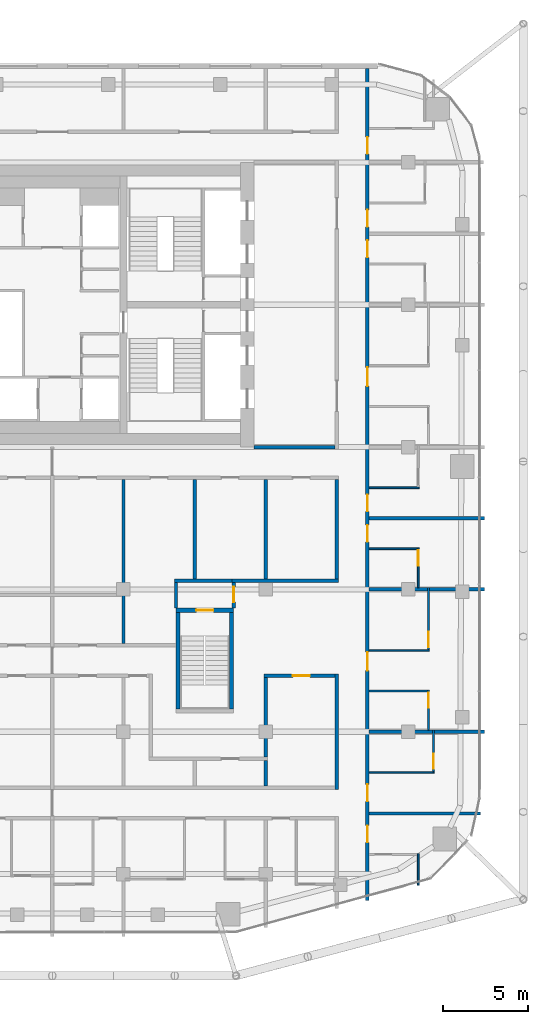
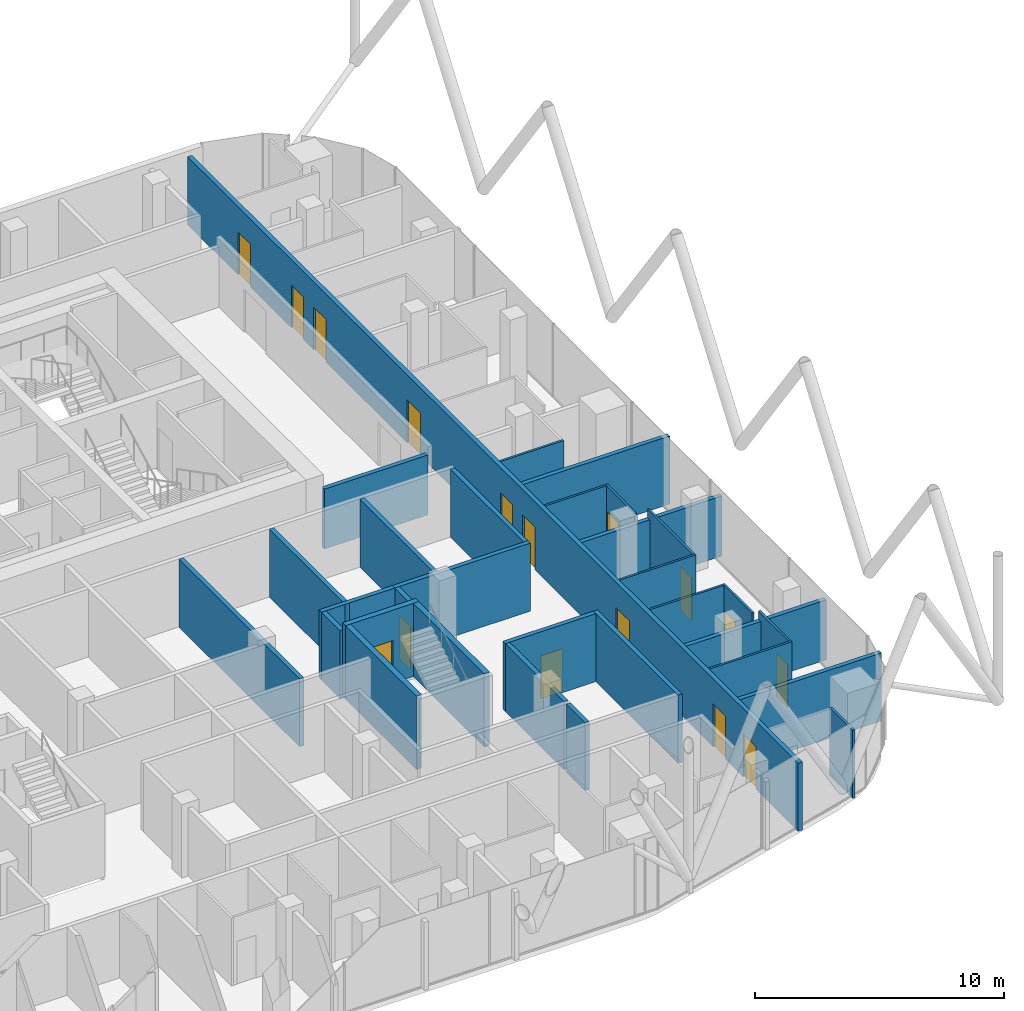
# One storey, part 23 of 28: 31 walls, 16 doors, 16 openings.
"""IFC4 building model written with IfcOpenShell, lengths in metres."""

from ifc_helpers import new_model, si_unit, direction, frame, frame_2d, origin, place, context, subcontext, project, spatial, rectangle, extrude, material, layer, layer_set, type_object, element, fill, save


model = new_model("IFC4")

# Units and contexts
model_context = context("Model", 3, precision=1e-05, world=origin(), true_north=direction((0.0, 1.0)))
body_context = subcontext(model_context, "Body", "Model", "MODEL_VIEW")
ifc_project = project(units=[si_unit("LENGTHUNIT", "METRE"), si_unit("AREAUNIT", "SQUARE_METRE"), si_unit("VOLUMEUNIT", "CUBIC_METRE"), si_unit("PLANEANGLEUNIT", "RADIAN"), si_unit("MASSUNIT", "GRAM", prefix="KILO")], contexts=[model_context])

# Site, building, storey
site_placement = place(None, origin())
site = spatial("IfcSite", under=ifc_project, at=site_placement, CompositionType="ELEMENT")
building_placement = place(site_placement, origin())
building = spatial("IfcBuilding", under=site, at=building_placement, Name="Marenta Gate Hotel Tower", CompositionType="ELEMENT")
storey_placement = place(building_placement, frame((0.0, 0.0, 212.89990234375)))
storey = spatial("IfcBuildingStorey", under=building, at=storey_placement, Name="L49", CompositionType="ELEMENT", Elevation=212.89990234375)

# Wall
ifc_material_1 = material(Name="Concrete blockwork", Category="masonry")
ifc_layer_1 = layer(ifc_material_1, 0.199951171875)
ifc_layer_set_1 = layer_set([ifc_layer_1], Name="Concrete blockwork")
wall_type_1 = type_object("IfcWallType", Name="Core boundary wall 200 REI 180", PredefinedType="PARTITIONING", material=ifc_layer_set_1)
wall_1_placement = place(storey_placement, frame((11.89990234375, 0.0, 0.0), z_axis=(0.0, 0.0, 1.0), x_axis=(1.0, 0.0, 0.0)))
element("IfcWall", 1, at=wall_1_placement, inside=storey, type_object=wall_type_1, Name="L49-CP-EW-ES", PredefinedType="PARTITIONING", context=body_context, shape_type="SweptSolid", body=[
    extrude(rectangle(XDim=4.800048828125, YDim=0.199951171875, at=frame_2d((2.39990234375, 0.0))), origin(), (0.0, 0.0, 1.0), 2.940185546875),
])

# Wall, opening, door
ifc_material_2 = material(Name="Concrete C40", Category="concrete")
ifc_layer_2 = layer(ifc_material_2, 0.25)
ifc_layer_set_2 = layer_set([ifc_layer_2], Name="Concrete C40")
wall_type_2 = type_object("IfcWallType", Name="Remote stair enclosure wall 250 REI 180", PredefinedType="SHEAR", material=ifc_layer_set_2)
wall_2_placement = place(storey_placement, frame((7.300048828125, -9.625, 0.10009765625), z_axis=(0.0, 0.0, 1.0), x_axis=(1.0, 0.0, 0.0)))
wall_2 = element("IfcWall", 2, at=wall_2_placement, inside=storey, type_object=wall_type_2, Name="L49-RS-Z3-2-W2", PredefinedType="SHEAR", context=body_context, shape_type="SweptSolid", body=[
    extrude(rectangle(XDim=3.39990234375, YDim=0.25, at=frame_2d((1.699951171875, 0.0))), origin(), (0.0, 0.0, 1.0), 3.60009765625),
])
opening_1_placement = place(wall_2_placement, frame((1.199951171875, 0.0, 0.0)))
opening_1 = element("IfcOpeningElement", 3, at=opening_1_placement, cuts=wall_2, Name="Opening VD", PredefinedType="OPENING", context=body_context, shape_type="SweptSolid", body=[
    extrude(rectangle(XDim=1.0, YDim=2.10009765625, at=frame_2d((0.5, 1.050048828125))), frame((0.0, 0.125, 0.0), z_axis=(0.0, -1.0, 0.0), x_axis=(1.0, 0.0, 0.0)), (0.0, 0.0, 1.0), 0.25),
])
ifc_material_3 = material(Name="Steel", Category="steel")
door_type_1 = type_object("IfcDoorType", Name="Stair vestibule door 1000x2100 FD60", OperationType="SINGLE_SWING_LEFT", PredefinedType="DOOR", material=ifc_material_3)
door_1_placement = place(opening_1_placement, origin())
door_1 = element("IfcDoor", 4, at=door_1_placement, inside=storey, type_object=door_type_1, Name="VD", OperationType="SINGLE_SWING_LEFT", OverallHeight=2.10009765625, OverallWidth=1.0, PredefinedType="DOOR", context=body_context, shape_type="SweptSolid", body=[
    extrude(rectangle(XDim=1.0, YDim=2.10009765625, at=frame_2d((0.5, 1.050048828125))), frame((0.0, 0.02490234375, 0.0), z_axis=(0.0, -1.0, 0.0), x_axis=(1.0, 0.0, 0.0)), (0.0, 0.0, 1.0), 0.050048828125),
])
fill(opening_1, door_1)

# Walls
for number, where, z_axis, x_axis, name in (
    (5, (7.425048828125, -15.449951171875, 0.10009765625), (0.0, 0.0, 1.0), (0.0, 1.0, 0.0), "L49-RS-Z3-2-W3"),
    (6, (10.574951171875, -15.449951171875, 0.10009765625), (0.0, 0.0, 1.0), (0.0, 1.0, 0.0), "L49-RS-Z3-2-W4"),
):
    element("IfcWall", number, at=place(storey_placement, frame(where, z_axis=z_axis, x_axis=x_axis)), inside=storey, type_object=wall_type_2, Name=name, PredefinedType="SHEAR", context=body_context, shape_type="SweptSolid", body=[
        extrude(rectangle(XDim=5.699951171875, YDim=0.25, at=frame_2d((2.85009765625, 0.0))), origin(), (0.0, 0.0, 1.0), 3.60009765625),
    ])

# Wall, openings, doors
ifc_material_4 = material(Name="Gypsum board on steel stud", Category="steel")
ifc_layer_3 = layer(ifc_material_4, 0.199951171875)
ifc_layer_set_3 = layer_set([ifc_layer_3], Name="Gypsum board on steel stud")
wall_type_3 = type_object("IfcWallType", Name="Room corridor wall 200 EI 60", PredefinedType="PARTITIONING", material=ifc_layer_set_3)
wall_3_placement = place(storey_placement, frame((18.60009765625, -26.7509765625, 0.0), z_axis=(0.0, 0.0, 1.0), x_axis=(0.0, 1.0, 0.0)))
wall_3 = element("IfcWall", 7, at=wall_3_placement, inside=storey, type_object=wall_type_3, Name="L49-PTN-W029", PredefinedType="PARTITIONING", context=body_context, shape_type="SweptSolid", body=[
    extrude(rectangle(XDim=49.091064453125, YDim=0.199951171875, at=frame_2d((24.54541015625, 0.0))), origin(), (0.0, 0.0, 1.0), 3.340087890625),
])
opening_2_placement = place(wall_3_placement, frame((3.4130859375, 0.0, 0.0)))
opening_2 = element("IfcOpeningElement", 8, at=opening_2_placement, cuts=wall_3, Name="Opening G17-16", PredefinedType="OPENING", context=body_context, shape_type="SweptSolid", body=[
    extrude(rectangle(XDim=1.0, YDim=2.10009765625, at=frame_2d((0.5, 1.050048828125))), frame((0.0, 0.10009765625, 0.0), z_axis=(0.0, -1.0, 0.0), x_axis=(1.0, 0.0, 0.0)), (0.0, 0.0, 1.0), 0.199951171875),
])
opening_3_placement = place(wall_3_placement, frame((5.837890625, 0.0, 0.0)))
opening_3 = element("IfcOpeningElement", 9, at=opening_3_placement, cuts=wall_3, Name="Opening G17-18", PredefinedType="OPENING", context=body_context, shape_type="SweptSolid", body=[
    extrude(rectangle(XDim=1.0, YDim=2.10009765625, at=frame_2d((0.5, 1.050048828125))), frame((0.0, 0.10009765625, 0.0), z_axis=(0.0, -1.0, 0.0), x_axis=(1.0, 0.0, 0.0)), (0.0, 0.0, 1.0), 0.199951171875),
])
opening_4_placement = place(wall_3_placement, frame((13.551025390625, 0.0, 0.0)))
opening_4 = element("IfcOpeningElement", 10, at=opening_4_placement, cuts=wall_3, Name="Opening G17-20", PredefinedType="OPENING", context=body_context, shape_type="SweptSolid", body=[
    extrude(rectangle(XDim=1.10009765625, YDim=2.10009765625, at=frame_2d((0.550048828125, 1.050048828125))), frame((0.0, 0.10009765625, 0.0), z_axis=(0.0, -1.0, 0.0), x_axis=(1.0, 0.0, 0.0)), (0.0, 0.0, 1.0), 0.199951171875),
])
opening_5_placement = place(wall_3_placement, frame((21.15087890625, 0.0, 0.0)))
opening_5 = element("IfcOpeningElement", 11, at=opening_5_placement, cuts=wall_3, Name="Opening G17-23", PredefinedType="OPENING", context=body_context, shape_type="SweptSolid", body=[
    extrude(rectangle(XDim=1.0, YDim=2.10009765625, at=frame_2d((0.5, 1.050048828125))), frame((0.0, 0.10009765625, 0.0), z_axis=(0.0, -1.0, 0.0), x_axis=(1.0, 0.0, 0.0)), (0.0, 0.0, 1.0), 0.199951171875),
])
opening_6_placement = place(wall_3_placement, frame((22.950927734375, 0.0, 0.0)))
opening_6 = element("IfcOpeningElement", 12, at=opening_6_placement, cuts=wall_3, Name="Opening G17-25", PredefinedType="OPENING", context=body_context, shape_type="SweptSolid", body=[
    extrude(rectangle(XDim=1.0, YDim=2.10009765625, at=frame_2d((0.5, 1.050048828125))), frame((0.0, 0.10009765625, 0.0), z_axis=(0.0, -1.0, 0.0), x_axis=(1.0, 0.0, 0.0)), (0.0, 0.0, 1.0), 0.199951171875),
])
opening_7_placement = place(wall_3_placement, frame((30.35107421875, 0.0, 0.0)))
opening_7 = element("IfcOpeningElement", 13, at=opening_7_placement, cuts=wall_3, Name="Opening G17-27", PredefinedType="OPENING", context=body_context, shape_type="SweptSolid", body=[
    extrude(rectangle(XDim=1.10009765625, YDim=2.10009765625, at=frame_2d((0.550048828125, 1.050048828125))), frame((0.0, 0.10009765625, 0.0), z_axis=(0.0, -1.0, 0.0), x_axis=(1.0, 0.0, 0.0)), (0.0, 0.0, 1.0), 0.199951171875),
])
opening_8_placement = place(wall_3_placement, frame((37.950927734375, 0.0, 0.0)))
opening_8 = element("IfcOpeningElement", 14, at=opening_8_placement, cuts=wall_3, Name="Opening G17-30", PredefinedType="OPENING", context=body_context, shape_type="SweptSolid", body=[
    extrude(rectangle(XDim=1.0, YDim=2.10009765625, at=frame_2d((0.5, 1.050048828125))), frame((0.0, 0.10009765625, 0.0), z_axis=(0.0, -1.0, 0.0), x_axis=(1.0, 0.0, 0.0)), (0.0, 0.0, 1.0), 0.199951171875),
])
opening_9_placement = place(wall_3_placement, frame((39.7509765625, 0.0, 0.0)))
opening_9 = element("IfcOpeningElement", 15, at=opening_9_placement, cuts=wall_3, Name="Opening G17-32", PredefinedType="OPENING", context=body_context, shape_type="SweptSolid", body=[
    extrude(rectangle(XDim=1.0, YDim=2.10009765625, at=frame_2d((0.5, 1.050048828125))), frame((0.0, 0.10009765625, 0.0), z_axis=(0.0, -1.0, 0.0), x_axis=(1.0, 0.0, 0.0)), (0.0, 0.0, 1.0), 0.199951171875),
])
opening_10_placement = place(wall_3_placement, frame((44.051025390625, 0.0, 0.0)))
opening_10 = element("IfcOpeningElement", 16, at=opening_10_placement, cuts=wall_3, Name="Opening G17-34", PredefinedType="OPENING", context=body_context, shape_type="SweptSolid", body=[
    extrude(rectangle(XDim=1.0, YDim=2.10009765625, at=frame_2d((0.5, 1.050048828125))), frame((0.0, 0.10009765625, 0.0), z_axis=(0.0, -1.0, 0.0), x_axis=(1.0, 0.0, 0.0)), (0.0, 0.0, 1.0), 0.199951171875),
])
ifc_material_5 = material(Name="Timber door leaf", Category="wood")
door_type_2 = type_object("IfcDoorType", Name="Guest room door 1000x2100 EI 30", OperationType="NOTDEFINED", PredefinedType="DOOR", material=ifc_material_5)
door_2_placement = place(opening_2_placement, origin())
door_2 = element("IfcDoor", 17, at=door_2_placement, inside=storey, type_object=door_type_2, Name="L49-PD-D016", OperationType="SINGLE_SWING_RIGHT", OverallHeight=2.10009765625, OverallWidth=1.0, PredefinedType="DOOR", context=body_context, shape_type="SweptSolid", body=[
    extrude(rectangle(XDim=1.0, YDim=2.10009765625, at=frame_2d((0.5, 1.050048828125))), frame((0.0, 0.02490234375, 0.0), z_axis=(0.0, -1.0, 0.0), x_axis=(1.0, 0.0, 0.0)), (0.0, 0.0, 1.0), 0.050048828125),
])
fill(opening_2, door_2)
door_3_placement = place(opening_3_placement, origin())
door_3 = element("IfcDoor", 18, at=door_3_placement, inside=storey, type_object=door_type_2, Name="L49-PD-D018", OperationType="SINGLE_SWING_RIGHT", OverallHeight=2.10009765625, OverallWidth=1.0, PredefinedType="DOOR", context=body_context, shape_type="SweptSolid", body=[
    extrude(rectangle(XDim=1.0, YDim=2.10009765625, at=frame_2d((0.5, 1.050048828125))), frame((0.0, 0.02490234375, 0.0), z_axis=(0.0, -1.0, 0.0), x_axis=(1.0, 0.0, 0.0)), (0.0, 0.0, 1.0), 0.050048828125),
])
fill(opening_3, door_3)
door_4_placement = place(opening_5_placement, origin())
door_4 = element("IfcDoor", 19, at=door_4_placement, inside=storey, type_object=door_type_2, Name="L49-PD-D023", OperationType="SINGLE_SWING_LEFT", OverallHeight=2.10009765625, OverallWidth=1.0, PredefinedType="DOOR", context=body_context, shape_type="SweptSolid", body=[
    extrude(rectangle(XDim=1.0, YDim=2.10009765625, at=frame_2d((0.5, 1.050048828125))), frame((0.0, 0.02490234375, 0.0), z_axis=(0.0, -1.0, 0.0), x_axis=(1.0, 0.0, 0.0)), (0.0, 0.0, 1.0), 0.050048828125),
])
fill(opening_5, door_4)
door_5_placement = place(opening_6_placement, origin())
door_5 = element("IfcDoor", 20, at=door_5_placement, inside=storey, type_object=door_type_2, Name="L49-PD-D025", OperationType="SINGLE_SWING_LEFT", OverallHeight=2.10009765625, OverallWidth=1.0, PredefinedType="DOOR", context=body_context, shape_type="SweptSolid", body=[
    extrude(rectangle(XDim=1.0, YDim=2.10009765625, at=frame_2d((0.5, 1.050048828125))), frame((0.0, 0.02490234375, 0.0), z_axis=(0.0, -1.0, 0.0), x_axis=(1.0, 0.0, 0.0)), (0.0, 0.0, 1.0), 0.050048828125),
])
fill(opening_6, door_5)
door_6_placement = place(opening_8_placement, origin())
door_6 = element("IfcDoor", 21, at=door_6_placement, inside=storey, type_object=door_type_2, Name="L49-PD-D030", OperationType="SINGLE_SWING_RIGHT", OverallHeight=2.10009765625, OverallWidth=1.0, PredefinedType="DOOR", context=body_context, shape_type="SweptSolid", body=[
    extrude(rectangle(XDim=1.0, YDim=2.10009765625, at=frame_2d((0.5, 1.050048828125))), frame((0.0, 0.02490234375, 0.0), z_axis=(0.0, -1.0, 0.0), x_axis=(1.0, 0.0, 0.0)), (0.0, 0.0, 1.0), 0.050048828125),
])
fill(opening_8, door_6)
door_7_placement = place(opening_9_placement, origin())
door_7 = element("IfcDoor", 22, at=door_7_placement, inside=storey, type_object=door_type_2, Name="L49-PD-D032", OperationType="SINGLE_SWING_RIGHT", OverallHeight=2.10009765625, OverallWidth=1.0, PredefinedType="DOOR", context=body_context, shape_type="SweptSolid", body=[
    extrude(rectangle(XDim=1.0, YDim=2.10009765625, at=frame_2d((0.5, 1.050048828125))), frame((0.0, 0.02490234375, 0.0), z_axis=(0.0, -1.0, 0.0), x_axis=(1.0, 0.0, 0.0)), (0.0, 0.0, 1.0), 0.050048828125),
])
fill(opening_9, door_7)
door_8_placement = place(opening_10_placement, origin())
door_8 = element("IfcDoor", 23, at=door_8_placement, inside=storey, type_object=door_type_2, Name="L49-PD-D034", OperationType="SINGLE_SWING_RIGHT", OverallHeight=2.10009765625, OverallWidth=1.0, PredefinedType="DOOR", context=body_context, shape_type="SweptSolid", body=[
    extrude(rectangle(XDim=1.0, YDim=2.10009765625, at=frame_2d((0.5, 1.050048828125))), frame((0.0, 0.02490234375, 0.0), z_axis=(0.0, -1.0, 0.0), x_axis=(1.0, 0.0, 0.0)), (0.0, 0.0, 1.0), 0.050048828125),
])
fill(opening_10, door_8)
ifc_material_6 = material(Name="Timber door leaf", Category="wood")
door_type_3 = type_object("IfcDoorType", Name="Guest room door 1100x2100 EI 30", OperationType="NOTDEFINED", PredefinedType="DOOR", material=ifc_material_6)
door_9_placement = place(opening_4_placement, origin())
door_9 = element("IfcDoor", 24, at=door_9_placement, inside=storey, type_object=door_type_3, Name="L49-PD-D020", OperationType="SINGLE_SWING_LEFT", OverallHeight=2.10009765625, OverallWidth=1.10009765625, PredefinedType="DOOR", context=body_context, shape_type="SweptSolid", body=[
    extrude(rectangle(XDim=1.10009765625, YDim=2.10009765625, at=frame_2d((0.550048828125, 1.050048828125))), frame((0.0, 0.02490234375, 0.0), z_axis=(0.0, -1.0, 0.0), x_axis=(1.0, 0.0, 0.0)), (0.0, 0.0, 1.0), 0.050048828125),
])
fill(opening_4, door_9)
door_10_placement = place(opening_7_placement, origin())
door_10 = element("IfcDoor", 25, at=door_10_placement, inside=storey, type_object=door_type_3, Name="L49-PD-D027", OperationType="SINGLE_SWING_LEFT", OverallHeight=2.10009765625, OverallWidth=1.10009765625, PredefinedType="DOOR", context=body_context, shape_type="SweptSolid", body=[
    extrude(rectangle(XDim=1.10009765625, YDim=2.10009765625, at=frame_2d((0.550048828125, 1.050048828125))), frame((0.0, 0.02490234375, 0.0), z_axis=(0.0, -1.0, 0.0), x_axis=(1.0, 0.0, 0.0)), (0.0, 0.0, 1.0), 0.050048828125),
])
fill(opening_7, door_10)

# Walls
wall_4_placement = place(storey_placement, frame((16.800048828125, -20.199951171875, 0.0), z_axis=(0.0, 0.0, 1.0), x_axis=(0.0, 1.0, 0.0)))
element("IfcWall", 26, at=wall_4_placement, inside=storey, type_object=wall_type_3, Name="L49-PTN-W032", PredefinedType="PARTITIONING", context=body_context, shape_type="SweptSolid", body=[
    extrude(rectangle(XDim=6.800048828125, YDim=0.199951171875, at=frame_2d((3.39990234375, 0.0))), origin(), (0.0, 0.0, 1.0), 3.340087890625),
])
wall_5_placement = place(storey_placement, frame((16.800048828125, -7.800048828125, 0.0), z_axis=(0.0, 0.0, 1.0), x_axis=(0.0, 1.0, 0.0)))
element("IfcWall", 27, at=wall_5_placement, inside=storey, type_object=wall_type_3, Name="L49-PTN-W033", PredefinedType="PARTITIONING", context=body_context, shape_type="SweptSolid", body=[
    extrude(rectangle(XDim=5.900146484375, YDim=0.199951171875, at=frame_2d((2.9501953125, 0.0))), origin(), (0.0, 0.0, 1.0), 3.340087890625),
])

# Wall, opening, door
wall_6_placement = place(storey_placement, frame((12.5, -13.5, 0.0), z_axis=(0.0, 0.0, 1.0), x_axis=(1.0, 0.0, 0.0)))
wall_6 = element("IfcWall", 28, at=wall_6_placement, inside=storey, type_object=wall_type_3, Name="L49-PTN-W043", PredefinedType="PARTITIONING", context=body_context, shape_type="SweptSolid", body=[
    extrude(rectangle(XDim=4.199951171875, YDim=0.199951171875, at=frame_2d((2.10009765625, 0.0))), origin(), (0.0, 0.0, 1.0), 3.340087890625),
])
opening_11_placement = place(wall_6_placement, frame((1.699951171875, 0.0, 0.0)))
opening_11 = element("IfcOpeningElement", 29, at=opening_11_placement, cuts=wall_6, Name="Opening G17-15", PredefinedType="OPENING", context=body_context, shape_type="SweptSolid", body=[
    extrude(rectangle(XDim=1.0, YDim=2.10009765625, at=frame_2d((0.5, 1.050048828125))), frame((0.0, 0.10009765625, 0.0), z_axis=(0.0, -1.0, 0.0), x_axis=(1.0, 0.0, 0.0)), (0.0, 0.0, 1.0), 0.199951171875),
])
ifc_material_7 = material(Name="Timber door leaf", Category="wood")
door_type_4 = type_object("IfcDoorType", Name="Room amenity door 1000x2100 EI 30", OperationType="NOTDEFINED", PredefinedType="DOOR", material=ifc_material_7)
door_11_placement = place(opening_11_placement, origin())
door_11 = element("IfcDoor", 30, at=door_11_placement, inside=storey, type_object=door_type_4, Name="L49-PD-D015", OperationType="SINGLE_SWING_LEFT", OverallHeight=2.10009765625, OverallWidth=1.0, PredefinedType="DOOR", context=body_context, shape_type="SweptSolid", body=[
    extrude(rectangle(XDim=1.0, YDim=2.10009765625, at=frame_2d((0.5, 1.050048828125))), frame((0.0, 0.02490234375, 0.0), z_axis=(0.0, -1.0, 0.0), x_axis=(1.0, 0.0, 0.0)), (0.0, 0.0, 1.0), 0.050048828125),
])
fill(opening_11, door_11)

# Walls
wall_7_placement = place(storey_placement, frame((12.60009765625, -18.300048828125, 0.0), z_axis=(0.0, 0.0, 1.0), x_axis=(0.0, 1.0, 0.0)))
element("IfcWall", 31, at=wall_7_placement, inside=storey, type_object=wall_type_3, Name="L49-PTN-W048", PredefinedType="PARTITIONING", context=body_context, shape_type="SweptSolid", body=[
    extrude(rectangle(XDim=4.699951171875, YDim=0.199951171875, at=frame_2d((2.35009765625, 0.0))), origin(), (0.0, 0.0, 1.0), 3.340087890625),
])
wall_8_placement = place(storey_placement, frame((10.60009765625, -7.89990234375, 0.0), z_axis=(0.0, 0.0, 1.0), x_axis=(1.0, 0.0, 0.0)))
element("IfcWall", 32, at=wall_8_placement, inside=storey, type_object=wall_type_3, Name="L49-PTN-W060", PredefinedType="PARTITIONING", context=body_context, shape_type="SweptSolid", body=[
    extrude(rectangle(XDim=6.2998046875, YDim=0.199951171875, at=frame_2d((3.14990234375, 0.0))), origin(), (0.0, 0.0, 1.0), 3.340087890625),
])

# Wall, opening, door
ifc_material_8 = material(Name="Concrete blockwork", Category="masonry")
ifc_layer_4 = layer(ifc_material_8, 0.199951171875)
ifc_layer_set_4 = layer_set([ifc_layer_4], Name="Concrete blockwork")
wall_type_4 = type_object("IfcWallType", Name="Room corridor wall 200 REI 180", PredefinedType="PARTITIONING", material=ifc_layer_set_4)
wall_9_placement = place(storey_placement, frame((10.699951171875, -9.5, 0.0), z_axis=(0.0, 0.0, 1.0), x_axis=(0.0, 1.0, 0.0)))
wall_9 = element("IfcWall", 33, at=wall_9_placement, inside=storey, type_object=wall_type_4, Name="L49-PTN-W052", PredefinedType="PARTITIONING", context=body_context, shape_type="SweptSolid", body=[
    extrude(rectangle(XDim=1.5, YDim=0.199951171875, at=frame_2d((0.75, 0.0))), origin(), (0.0, 0.0, 1.0), 3.340087890625),
])
opening_12_placement = place(wall_9_placement, frame((0.35009765625, 0.0, 0.0)))
opening_12 = element("IfcOpeningElement", 34, at=opening_12_placement, cuts=wall_9, Name="Opening G17-76", PredefinedType="OPENING", context=body_context, shape_type="SweptSolid", body=[
    extrude(rectangle(XDim=0.89990234375, YDim=2.10009765625, at=frame_2d((0.449951171875, 1.050048828125))), frame((0.0, 0.10009765625, 0.0), z_axis=(0.0, -1.0, 0.0), x_axis=(1.0, 0.0, 0.0)), (0.0, 0.0, 1.0), 0.199951171875),
])
ifc_material_9 = material(Name="Hollow steel door set", Category="steel")
door_type_5 = type_object("IfcDoorType", Name="Stair vestibule door 900x2100 EI 60", OperationType="NOTDEFINED", PredefinedType="DOOR", material=ifc_material_9)
door_12_placement = place(opening_12_placement, origin())
door_12 = element("IfcDoor", 35, at=door_12_placement, inside=storey, type_object=door_type_5, Name="L49-PD-D076", OperationType="SINGLE_SWING_RIGHT", OverallHeight=2.10009765625, OverallWidth=0.89990234375, PredefinedType="DOOR", context=body_context, shape_type="SweptSolid", body=[
    extrude(rectangle(XDim=0.89990234375, YDim=2.10009765625, at=frame_2d((0.449951171875, 1.050048828125))), frame((0.0, 0.02490234375, 0.0), z_axis=(0.0, -1.0, 0.0), x_axis=(1.0, 0.0, 0.0)), (0.0, 0.0, 1.0), 0.050048828125),
])
fill(opening_12, door_12)

ifc_material_10 = material(Name="Gypsum board on steel stud", Category="steel")
ifc_layer_5 = layer(ifc_material_10, 0.10009765625)
ifc_layer_set_5 = layer_set([ifc_layer_5], Name="Gypsum board on steel stud")
wall_type_5 = type_object("IfcWallType", Name="Room partition 100", PredefinedType="PARTITIONING", material=ifc_layer_set_5)
wall_10_placement = place(storey_placement, frame((22.5, -19.14990234375, 0.0), z_axis=(0.0, 0.0, 1.0), x_axis=(0.0, 1.0, 0.0)))
wall_10 = element("IfcWall", 36, at=wall_10_placement, inside=storey, type_object=wall_type_5, Name="L49-PTN-W011", PredefinedType="PARTITIONING", context=body_context, shape_type="SweptSolid", body=[
    extrude(rectangle(XDim=2.449951171875, YDim=0.10009765625, at=frame_2d((1.22509765625, 0.0))), origin(), (0.0, 0.0, 1.0), 3.340087890625),
])
opening_13_placement = place(wall_10_placement, frame((0.14990234375, 0.0, 0.0)))
opening_13 = element("IfcOpeningElement", 37, at=opening_13_placement, cuts=wall_10, Name="Opening G17-19", PredefinedType="OPENING", context=body_context, shape_type="SweptSolid", body=[
    extrude(rectangle(XDim=0.89990234375, YDim=2.10009765625, at=frame_2d((0.449951171875, 1.050048828125))), frame((0.0, 0.050048828125, 0.0), z_axis=(0.0, -1.0, 0.0), x_axis=(1.0, 0.0, 0.0)), (0.0, 0.0, 1.0), 0.10009765625),
])
ifc_material_11 = material(Name="Timber door leaf", Category="wood")
door_type_6 = type_object("IfcDoorType", Name="Guest bathroom door 900x2100", OperationType="NOTDEFINED", PredefinedType="DOOR", material=ifc_material_11)
door_13_placement = place(opening_13_placement, origin())
door_13 = element("IfcDoor", 38, at=door_13_placement, inside=storey, type_object=door_type_6, Name="L49-PD-D019", OperationType="SINGLE_SWING_LEFT", OverallHeight=2.10009765625, OverallWidth=0.89990234375, PredefinedType="DOOR", context=body_context, shape_type="SweptSolid", body=[
    extrude(rectangle(XDim=0.89990234375, YDim=2.10009765625, at=frame_2d((0.449951171875, 1.050048828125))), frame((0.0, 0.02490234375, 0.0), z_axis=(0.0, -1.0, 0.0), x_axis=(1.0, 0.0, 0.0)), (0.0, 0.0, 1.0), 0.050048828125),
])
fill(opening_13, door_13)

wall_11_placement = place(storey_placement, frame((22.199951171875, -16.699951171875, 0.0), z_axis=(0.0, 0.0, 1.0), x_axis=(0.0, 1.0, 0.0)))
wall_11 = element("IfcWall", 39, at=wall_11_placement, inside=storey, type_object=wall_type_5, Name="L49-PTN-W013", PredefinedType="PARTITIONING", context=body_context, shape_type="SweptSolid", body=[
    extrude(rectangle(XDim=2.349853515625, YDim=0.10009765625, at=frame_2d((1.1748046875, 0.0))), origin(), (0.0, 0.0, 1.0), 3.340087890625),
])
opening_14_placement = place(wall_11_placement, frame((1.300048828125, 0.0, 0.0)))
opening_14 = element("IfcOpeningElement", 40, at=opening_14_placement, cuts=wall_11, Name="Opening G17-22", PredefinedType="OPENING", context=body_context, shape_type="SweptSolid", body=[
    extrude(rectangle(XDim=0.89990234375, YDim=2.10009765625, at=frame_2d((0.449951171875, 1.050048828125))), frame((0.0, 0.050048828125, 0.0), z_axis=(0.0, -1.0, 0.0), x_axis=(1.0, 0.0, 0.0)), (0.0, 0.0, 1.0), 0.10009765625),
])
ifc_material_12 = material(Name="Timber door leaf", Category="wood")
door_type_7 = type_object("IfcDoorType", Name="Room inner door 900x2100", OperationType="NOTDEFINED", PredefinedType="DOOR", material=ifc_material_12)
door_14_placement = place(opening_14_placement, origin())
door_14 = element("IfcDoor", 41, at=door_14_placement, inside=storey, type_object=door_type_7, Name="L49-PD-D022", OperationType="SINGLE_SWING_RIGHT", OverallHeight=2.10009765625, OverallWidth=0.89990234375, PredefinedType="DOOR", context=body_context, shape_type="SweptSolid", body=[
    extrude(rectangle(XDim=0.89990234375, YDim=2.10009765625, at=frame_2d((0.449951171875, 1.050048828125))), frame((0.0, 0.02490234375, 0.0), z_axis=(0.0, -1.0, 0.0), x_axis=(1.0, 0.0, 0.0)), (0.0, 0.0, 1.0), 0.050048828125),
])
fill(opening_14, door_14)

wall_12_placement = place(storey_placement, frame((22.199951171875, -11.949951171875, 0.0), z_axis=(0.0, 0.0, 1.0), x_axis=(0.0, 1.0, 0.0)))
wall_12 = element("IfcWall", 42, at=wall_12_placement, inside=storey, type_object=wall_type_5, Name="L49-PTN-W014", PredefinedType="PARTITIONING", context=body_context, shape_type="SweptSolid", body=[
    extrude(rectangle(XDim=3.64990234375, YDim=0.10009765625, at=frame_2d((1.824951171875, 0.0))), origin(), (0.0, 0.0, 1.0), 3.340087890625),
])
opening_15_placement = place(wall_12_placement, frame((0.14990234375, 0.0, 0.0)))
opening_15 = element("IfcOpeningElement", 43, at=opening_15_placement, cuts=wall_12, Name="Opening G17-21", PredefinedType="OPENING", context=body_context, shape_type="SweptSolid", body=[
    extrude(rectangle(XDim=0.89990234375, YDim=2.10009765625, at=frame_2d((0.449951171875, 1.050048828125))), frame((0.0, 0.050048828125, 0.0), z_axis=(0.0, -1.0, 0.0), x_axis=(1.0, 0.0, 0.0)), (0.0, 0.0, 1.0), 0.10009765625),
])
door_15_placement = place(opening_15_placement, origin())
door_15 = element("IfcDoor", 44, at=door_15_placement, inside=storey, type_object=door_type_6, Name="L49-PD-D021", OperationType="SINGLE_SWING_LEFT", OverallHeight=2.10009765625, OverallWidth=0.89990234375, PredefinedType="DOOR", context=body_context, shape_type="SweptSolid", body=[
    extrude(rectangle(XDim=0.89990234375, YDim=2.10009765625, at=frame_2d((0.449951171875, 1.050048828125))), frame((0.0, 0.02490234375, 0.0), z_axis=(0.0, -1.0, 0.0), x_axis=(1.0, 0.0, 0.0)), (0.0, 0.0, 1.0), 0.050048828125),
])
fill(opening_15, door_15)

# Wall
wall_13_placement = place(storey_placement, frame((21.60009765625, -25.85107421875, 0.0), z_axis=(0.0, 0.0, 1.0), x_axis=(0.0, 1.0, 0.0)))
element("IfcWall", 45, at=wall_13_placement, inside=storey, type_object=wall_type_5, Name="L49-PTN-W022", PredefinedType="PARTITIONING", context=body_context, shape_type="SweptSolid", body=[
    extrude(rectangle(XDim=1.85009765625, YDim=0.10009765625, at=frame_2d((0.925048828125, 0.0))), origin(), (0.0, 0.0, 1.0), 3.340087890625),
])

# Wall, opening, door
wall_14_placement = place(storey_placement, frame((21.60009765625, -8.300048828125, 0.0), z_axis=(0.0, 0.0, 1.0), x_axis=(0.0, 1.0, 0.0)))
wall_14 = element("IfcWall", 46, at=wall_14_placement, inside=storey, type_object=wall_type_5, Name="L49-PTN-W023", PredefinedType="PARTITIONING", context=body_context, shape_type="SweptSolid", body=[
    extrude(rectangle(XDim=2.35009765625, YDim=0.10009765625, at=frame_2d((1.175048828125, 0.0))), origin(), (0.0, 0.0, 1.0), 3.340087890625),
])
opening_16_placement = place(wall_14_placement, frame((1.300048828125, 0.0, 0.0)))
opening_16 = element("IfcOpeningElement", 47, at=opening_16_placement, cuts=wall_14, Name="Opening G17-24", PredefinedType="OPENING", context=body_context, shape_type="SweptSolid", body=[
    extrude(rectangle(XDim=0.89990234375, YDim=2.10009765625, at=frame_2d((0.449951171875, 1.050048828125))), frame((0.0, 0.050048828125, 0.0), z_axis=(0.0, -1.0, 0.0), x_axis=(1.0, 0.0, 0.0)), (0.0, 0.0, 1.0), 0.10009765625),
])
door_16_placement = place(opening_16_placement, origin())
door_16 = element("IfcDoor", 48, at=door_16_placement, inside=storey, type_object=door_type_6, Name="L49-PD-D024", OperationType="SINGLE_SWING_RIGHT", OverallHeight=2.10009765625, OverallWidth=0.89990234375, PredefinedType="DOOR", context=body_context, shape_type="SweptSolid", body=[
    extrude(rectangle(XDim=0.89990234375, YDim=2.10009765625, at=frame_2d((0.449951171875, 1.050048828125))), frame((0.0, 0.02490234375, 0.0), z_axis=(0.0, -1.0, 0.0), x_axis=(1.0, 0.0, 0.0)), (0.0, 0.0, 1.0), 0.050048828125),
])
fill(opening_16, door_16)

# Walls
wall_15_placement = place(storey_placement, frame((18.699951171875, -19.199951171875, 0.0), z_axis=(0.0, 0.0, 1.0), x_axis=(1.0, 0.0, 0.0)))
element("IfcWall", 49, at=wall_15_placement, inside=storey, type_object=wall_type_5, Name="L49-PTN-W028", PredefinedType="PARTITIONING", context=body_context, shape_type="SweptSolid", body=[
    extrude(rectangle(XDim=3.85009765625, YDim=0.10009765625, at=frame_2d((1.925048828125, 0.0))), origin(), (0.0, 0.0, 1.0), 3.340087890625),
])
wall_16_placement = place(storey_placement, frame((18.699951171875, -14.39990234375, 0.0), z_axis=(0.0, 0.0, 1.0), x_axis=(1.0, 0.0, 0.0)))
element("IfcWall", 50, at=wall_16_placement, inside=storey, type_object=wall_type_5, Name="L49-PTN-W040", PredefinedType="PARTITIONING", context=body_context, shape_type="SweptSolid", body=[
    extrude(rectangle(XDim=3.449951171875, YDim=0.10009765625, at=frame_2d((1.72509765625, 0.0))), origin(), (0.0, 0.0, 1.0), 3.340087890625),
])
wall_17_placement = place(storey_placement, frame((18.699951171875, -12.0, 0.0), z_axis=(0.0, 0.0, 1.0), x_axis=(1.0, 0.0, 0.0)))
element("IfcWall", 51, at=wall_17_placement, inside=storey, type_object=wall_type_5, Name="L49-PTN-W050", PredefinedType="PARTITIONING", context=body_context, shape_type="SweptSolid", body=[
    extrude(rectangle(XDim=3.550048828125, YDim=0.10009765625, at=frame_2d((1.77490234375, 0.0))), origin(), (0.0, 0.0, 1.0), 3.340087890625),
])
wall_18_placement = place(storey_placement, frame((18.699951171875, -6.0, 0.0), z_axis=(0.0, 0.0, 1.0), x_axis=(1.0, 0.0, 0.0)))
element("IfcWall", 52, at=wall_18_placement, inside=storey, type_object=wall_type_5, Name="L49-PTN-W066", PredefinedType="PARTITIONING", context=body_context, shape_type="SweptSolid", body=[
    extrude(rectangle(XDim=2.85009765625, YDim=0.10009765625, at=frame_2d((1.425048828125, 0.0))), origin(), (0.0, 0.0, 1.0), 3.340087890625),
])
wall_19_placement = place(storey_placement, frame((18.699951171875, -2.39990234375, 0.0), z_axis=(0.0, 0.0, 1.0), x_axis=(1.0, 0.0, 0.0)))
element("IfcWall", 53, at=wall_19_placement, inside=storey, type_object=wall_type_5, Name="L49-PTN-W078", PredefinedType="PARTITIONING", context=body_context, shape_type="SweptSolid", body=[
    extrude(rectangle(XDim=2.949951171875, YDim=0.10009765625, at=frame_2d((1.47509765625, 0.0))), origin(), (0.0, 0.0, 1.0), 3.340087890625),
])
ifc_material_13 = material(Name="Gypsum board on steel stud", Category="steel")
ifc_layer_6 = layer(ifc_material_13, 0.199951171875)
ifc_layer_set_6 = layer_set([ifc_layer_6], Name="Gypsum board on steel stud")
wall_type_6 = type_object("IfcWallType", Name="Room party wall 200 EI 60", PredefinedType="PARTITIONING", material=ifc_layer_set_6)
wall_20_placement = place(storey_placement, frame((18.699951171875, -21.625, 0.0), z_axis=(0.0, 0.0, 1.0), x_axis=(1.0, 0.0, 0.0)))
element("IfcWall", 54, at=wall_20_placement, inside=storey, type_object=wall_type_6, Name="L49-PTN-W021", PredefinedType="PARTITIONING", context=body_context, shape_type="SweptSolid", body=[
    extrude(rectangle(XDim=6.575927734375, YDim=0.199951171875, at=frame_2d((3.2880859375, 0.0))), origin(), (0.0, 0.0, 1.0), 3.340087890625),
])
wall_21_placement = place(storey_placement, frame((18.699951171875, -16.800048828125, 0.0), z_axis=(0.0, 0.0, 1.0), x_axis=(1.0, 0.0, 0.0)))
element("IfcWall", 55, at=wall_21_placement, inside=storey, type_object=wall_type_6, Name="L49-PTN-W036", PredefinedType="PARTITIONING", context=body_context, shape_type="SweptSolid", body=[
    extrude(rectangle(XDim=6.800048828125, YDim=0.199951171875, at=frame_2d((3.39990234375, 0.0))), origin(), (0.0, 0.0, 1.0), 2.940185546875),
])
wall_22_placement = place(storey_placement, frame((12.60009765625, -20.0, 0.0), z_axis=(0.0, 0.0, 1.0), x_axis=(0.0, 1.0, 0.0)))
element("IfcWall", 56, at=wall_22_placement, inside=storey, type_object=wall_type_6, Name="L49-PTN-W045", PredefinedType="PARTITIONING", context=body_context, shape_type="SweptSolid", body=[
    extrude(rectangle(XDim=1.5, YDim=0.199951171875, at=frame_2d((0.75, 0.0))), origin(), (0.0, 0.0, 1.0), 3.340087890625),
])
wall_23_placement = place(storey_placement, frame((12.60009765625, -7.800048828125, 0.0), z_axis=(0.0, 0.0, 1.0), x_axis=(0.0, 1.0, 0.0)))
element("IfcWall", 57, at=wall_23_placement, inside=storey, type_object=wall_type_6, Name="L49-PTN-W046", PredefinedType="PARTITIONING", context=body_context, shape_type="SweptSolid", body=[
    extrude(rectangle(XDim=5.900146484375, YDim=0.199951171875, at=frame_2d((2.9501953125, 0.0))), origin(), (0.0, 0.0, 1.0), 3.340087890625),
])
wall_24_placement = place(storey_placement, frame((8.39990234375, -8.0, 0.0), z_axis=(0.0, 0.0, 1.0), x_axis=(0.0, 1.0, 0.0)))
element("IfcWall", 58, at=wall_24_placement, inside=storey, type_object=wall_type_6, Name="L49-PTN-W056", PredefinedType="PARTITIONING", context=body_context, shape_type="SweptSolid", body=[
    extrude(rectangle(XDim=6.10009765625, YDim=0.199951171875, at=frame_2d((3.050048828125, 0.0))), origin(), (0.0, 0.0, 1.0), 3.340087890625),
])
wall_25_placement = place(storey_placement, frame((18.699951171875, -8.39990234375, 0.0), z_axis=(0.0, 0.0, 1.0), x_axis=(1.0, 0.0, 0.0)))
element("IfcWall", 59, at=wall_25_placement, inside=storey, type_object=wall_type_6, Name="L49-PTN-W058", PredefinedType="PARTITIONING", context=body_context, shape_type="SweptSolid", body=[
    extrude(rectangle(XDim=6.800048828125, YDim=0.199951171875, at=frame_2d((3.39990234375, 0.0))), origin(), (0.0, 0.0, 1.0), 2.940185546875),
])
wall_26_placement = place(storey_placement, frame((4.199951171875, -11.60009765625, 0.0), z_axis=(0.0, 0.0, 1.0), x_axis=(0.0, 1.0, 0.0)))
element("IfcWall", 60, at=wall_26_placement, inside=storey, type_object=wall_type_6, Name="L49-PTN-W072", PredefinedType="PARTITIONING", context=body_context, shape_type="SweptSolid", body=[
    extrude(rectangle(XDim=9.7001953125, YDim=0.199951171875, at=frame_2d((4.85009765625, 0.0))), origin(), (0.0, 0.0, 1.0), 3.340087890625),
])
wall_27_placement = place(storey_placement, frame((18.699951171875, -4.199951171875, 0.0), z_axis=(0.0, 0.0, 1.0), x_axis=(1.0, 0.0, 0.0)))
element("IfcWall", 61, at=wall_27_placement, inside=storey, type_object=wall_type_6, Name="L49-PTN-W075", PredefinedType="PARTITIONING", context=body_context, shape_type="SweptSolid", body=[
    extrude(rectangle(XDim=6.800048828125, YDim=0.199951171875, at=frame_2d((3.39990234375, 0.0))), origin(), (0.0, 0.0, 1.0), 3.340087890625),
])
ifc_material_14 = material(Name="Concrete blockwork", Category="masonry")
ifc_layer_7 = layer(ifc_material_14, 0.199951171875)
ifc_layer_set_7 = layer_set([ifc_layer_7], Name="Concrete blockwork")
wall_type_7 = type_object("IfcWallType", Name="Room party wall 200 REI 180", PredefinedType="PARTITIONING", material=ifc_layer_set_7)
wall_28_placement = place(storey_placement, frame((7.199951171875, -7.89990234375, 0.0), z_axis=(0.0, 0.0, 1.0), x_axis=(1.0, 0.0, 0.0)))
element("IfcWall", 62, at=wall_28_placement, inside=storey, type_object=wall_type_7, Name="L49-PTN-W062", PredefinedType="PARTITIONING", context=body_context, shape_type="SweptSolid", body=[
    extrude(rectangle(XDim=3.400146484375, YDim=0.199951171875, at=frame_2d((1.7001953125, 0.0))), origin(), (0.0, 0.0, 1.0), 3.340087890625),
])
wall_29_placement = place(storey_placement, frame((7.300048828125, -9.5, 0.0), z_axis=(0.0, 0.0, 1.0), x_axis=(0.0, 1.0, 0.0)))
element("IfcWall", 63, at=wall_29_placement, inside=storey, type_object=wall_type_7, Name="L49-PTN-W064", PredefinedType="PARTITIONING", context=body_context, shape_type="SweptSolid", body=[
    extrude(rectangle(XDim=1.5, YDim=0.199951171875, at=frame_2d((0.75, 0.0))), origin(), (0.0, 0.0, 1.0), 3.340087890625),
])

save(model, "model.ifc")
